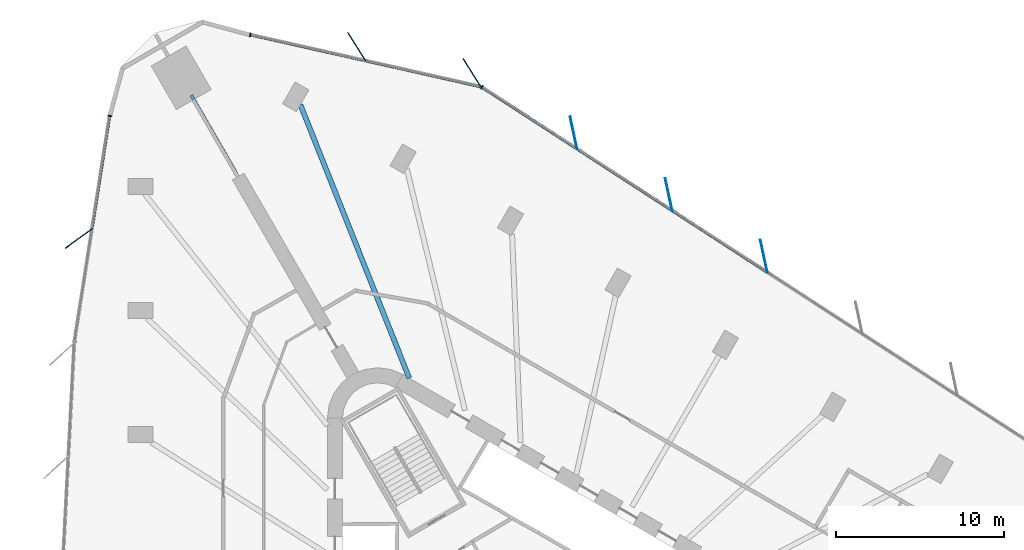
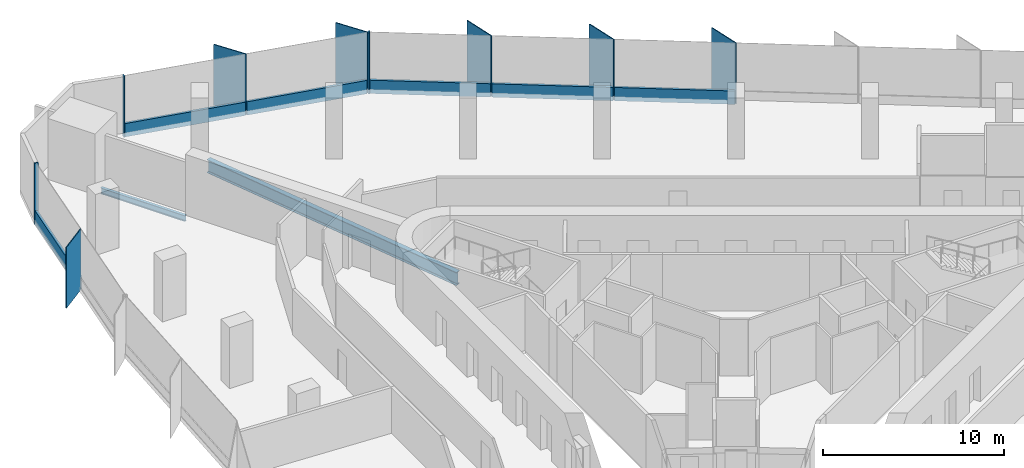
# One storey, part 7 of 14: 15 members, 2 beams, 3 elements without a shape of their own.
"""IFC4 building model written with IfcOpenShell, lengths in metres."""

import ifcopenshell
import ifcopenshell.guid

model = None  # the IFC model being written
_history = None  # IfcOwnerHistory: only IFC2X3 demands one
_inside = {}  # id of a spatial element -> (the spatial element, [elements in it])
_under = {}  # id of a project, library or spatial element -> (it, [spatial elements below it])
_declared = {}  # id of a project -> (the project, [libraries it declares])
_typed = {}  # id of a type object -> (the type object, [elements of that type])
_made_of = {}  # id of a material, layer set ... -> (it, [elements and type objects made of it])


def new_model(schema):
    """Start an empty IFC model of exactly this schema.

    Asked for "IFC4X3", IfcOpenShell would pick the latest addendum, in which some entities
    have other attributes; the version numbers below select the first issue.
    IFC2X3 requires an IfcOwnerHistory on every rooted entity: one is made here for all.
    """
    global model, _history
    if schema == "IFC4X3":
        model = ifcopenshell.file(schema_version=(4, 3, 0, 0))
    else:
        model = ifcopenshell.file(schema=schema)
    _inside.clear()
    _under.clear()
    _declared.clear()
    _typed.clear()
    _made_of.clear()
    _history = None
    if model.schema == "IFC2X3":
        org = make("IfcOrganization", Name="unknown")
        user = make(
            "IfcPersonAndOrganization",
            ThePerson=make("IfcPerson", FamilyName="unknown"),
            TheOrganization=org,
        )
        app = make(
            "IfcApplication",
            ApplicationDeveloper=org,
            Version="unknown",
            ApplicationFullName="unknown",
            ApplicationIdentifier="unknown",
        )
        _history = make(
            "IfcOwnerHistory",
            OwningUser=user,
            OwningApplication=app,
            ChangeAction="ADDED",
            CreationDate=0,
        )
    return model


def make(cls, **values):
    """One entity of the class cls with the attributes given. An attribute that is None is left unset."""
    return model.create_entity(
        cls, **{name: value for name, value in values.items() if value is not None}
    )


def rooted(cls, **values):
    """An entity with a GlobalId (a new one), such as an element, a storey or a relation."""
    return make(cls, GlobalId=ifcopenshell.guid.new(), OwnerHistory=_history, **values)


def si_unit(unit_type, name, prefix=None):
    """IfcSIUnit, for example si_unit("LENGTHUNIT", "METRE", prefix="MILLI")."""
    return make("IfcSIUnit", UnitType=unit_type, Prefix=prefix, Name=name)


def assignment(units):
    """IfcUnitAssignment: the units of a project."""
    return None if units is None else make("IfcUnitAssignment", Units=units)


def point(xyz):
    """IfcCartesianPoint."""
    return None if xyz is None else make("IfcCartesianPoint", Coordinates=xyz)


def direction(xyz):
    """IfcDirection."""
    return None if xyz is None else make("IfcDirection", DirectionRatios=xyz)


def frame(location, z_axis=None, x_axis=None):
    """IfcAxis2Placement3D, a coordinate frame: its origin and axes. An axis left out is left unset."""
    return make(
        "IfcAxis2Placement3D",
        Location=point(location),
        Axis=direction(z_axis),
        RefDirection=direction(x_axis),
    )


def frame_2d(location, x_axis=None):
    """IfcAxis2Placement2D, a coordinate frame in the plane: its origin and x axis."""
    return make(
        "IfcAxis2Placement2D", Location=point(location), RefDirection=direction(x_axis)
    )


def origin():
    """The frame at (0, 0, 0) with its axes left unset."""
    return frame((0.0, 0.0, 0.0))


def origin_2d():
    """The frame at (0, 0) in the plane with its x axis left unset."""
    return frame_2d((0.0, 0.0))


def place(relative_to, where):
    """IfcLocalPlacement: puts the frame where relative to a parent placement (None: the world)."""
    return make(
        "IfcLocalPlacement", PlacementRelTo=relative_to, RelativePlacement=where
    )


def context(
    kind, dimensions, precision=None, world=None, true_north=None, identifier=None
):
    """IfcGeometricRepresentationContext, for example the 3D "Model" context."""
    return make(
        "IfcGeometricRepresentationContext",
        ContextIdentifier=identifier,
        ContextType=kind,
        CoordinateSpaceDimension=dimensions,
        Precision=precision,
        WorldCoordinateSystem=world,
        TrueNorth=true_north,
    )


def subcontext(parent, identifier, kind, view, scale=None):
    """IfcGeometricRepresentationSubContext, for example "Body" below "Model"."""
    return make(
        "IfcGeometricRepresentationSubContext",
        ContextIdentifier=identifier,
        ContextType=kind,
        ParentContext=parent,
        TargetScale=scale,
        TargetView=view,
    )


def project(units=None, contexts=None):
    """IfcProject with its units and contexts."""
    return rooted(
        "IfcProject",
        Name="project",
        RepresentationContexts=contexts,
        UnitsInContext=assignment(units),
    )


def spatial(cls, under=None, at=None, **own):
    """A site, building, storey or space (cls), placed at a placement, below another one or the project."""
    s = rooted(cls, ObjectPlacement=at, **own)
    if under is not None:
        _under.setdefault(under.id(), (under, []))[1].append(s)
    return s


def profile(cls, at=None, kind="AREA", **sizes):
    """A parametric profile (cls). Its sizes go by their IFC names, for example OverallWidth=200.0."""
    return make(cls, ProfileType=kind, Position=at, **sizes)


def rectangle(**sizes):
    """IfcRectangleProfileDef."""
    return profile("IfcRectangleProfileDef", **sizes)


def i_section(**sizes):
    """IfcIShapeProfileDef."""
    return profile("IfcIShapeProfileDef", **sizes)


def extrude(swept, where, along, depth):
    """IfcExtrudedAreaSolid: the profile swept, set in the frame where, extruded along a direction by depth."""
    return make(
        "IfcExtrudedAreaSolid",
        SweptArea=swept,
        Position=where,
        ExtrudedDirection=direction(along),
        Depth=depth,
    )


def shape(context_of_items, identifier, shape_type, items):
    """IfcShapeRepresentation: the items that make up one representation, for example the "Body"."""
    return make(
        "IfcShapeRepresentation",
        ContextOfItems=context_of_items,
        RepresentationIdentifier=identifier,
        RepresentationType=shape_type,
        Items=items,
    )


def material(Name=None, Category=None):
    """IfcMaterial."""
    return make("IfcMaterial", Name=Name, Category=Category)


def material_profile(
    of_material, cross_section, Name=None, Category=None, Priority=None
):
    """IfcMaterialProfile: a cross section and its material."""
    return make(
        "IfcMaterialProfile",
        Name=Name,
        Material=of_material,
        Profile=cross_section,
        Priority=Priority,
        Category=Category,
    )


def profile_set(profiles, Name=None, composite=None):
    """IfcMaterialProfileSet."""
    return make(
        "IfcMaterialProfileSet",
        Name=Name,
        MaterialProfiles=profiles,
        CompositeProfile=composite,
    )


def made_of(thing, what):
    """Note that an element or type object is made of a material, layer set ...; save() writes the relation."""
    if what is not None:
        _made_of.setdefault(what.id(), (what, []))[1].append(thing)
    return thing


def type_object(cls, material=None, **own):
    """A type object (cls), such as IfcWallType, which elements share."""
    return made_of(rooted(cls, **own), material)


def element(
    cls,
    number,
    at=None,
    inside=None,
    cuts=None,
    type_object=None,
    material=None,
    context=None,
    identifier="Body",
    shape_type=None,
    held_by="IfcProductDefinitionShape",
    body=None,
    shapes=None,
    **own,
):
    """One element of the class cls, such as IfcWall. Its Tag is "e" and its number.

    at: its placement. inside: the storey or other place that contains it. cuts: it is an
    opening in that element (IfcRelVoidsElement). A single representation is given by context,
    identifier, shape_type and body (its items); several are given by shapes. held_by: the class
    of the entity that holds the representations. save() writes the other relations.
    """
    e = rooted(cls, Tag="e%d" % number, ObjectPlacement=at, **own)
    if body is not None:
        shapes = [shape(context, identifier, shape_type, body)]
    if shapes is not None:
        e.Representation = make(held_by, Representations=shapes)
    if inside is not None:
        _inside.setdefault(inside.id(), (inside, []))[1].append(e)
    if cuts is not None:
        rooted(
            "IfcRelVoidsElement", RelatingBuildingElement=cuts, RelatedOpeningElement=e
        )
    if type_object is not None:
        _typed.setdefault(type_object.id(), (type_object, []))[1].append(e)
    return made_of(e, material)


def aggregate(whole, parts):
    """IfcRelAggregates: a whole, such as a stair, and the parts it consists of."""
    return rooted("IfcRelAggregates", RelatingObject=whole, RelatedObjects=parts)


def save(model, path):
    """Write the relations noted so far, then the file.

    IfcRelAggregates (storeys below a building ...), IfcRelContainedInSpatialStructure (elements
    in a storey), IfcRelDefinesByType, IfcRelAssociatesMaterial and IfcRelDeclares: one each for
    every whole, place, type object, material and project.
    """
    for whole, parts in _under.values():
        aggregate(whole, parts)
    for where, things in _inside.values():
        rooted(
            "IfcRelContainedInSpatialStructure",
            RelatedElements=things,
            RelatingStructure=where,
        )
    for kind, things in _typed.values():
        rooted("IfcRelDefinesByType", RelatedObjects=things, RelatingType=kind)
    for what, things in _made_of.values():
        rooted("IfcRelAssociatesMaterial", RelatedObjects=things, RelatingMaterial=what)
    for by, libraries in _declared.values():
        rooted("IfcRelDeclares", RelatingContext=by, RelatedDefinitions=libraries)
    model.write(path)


model = new_model("IFC4")

# Units and contexts
model_context = context("Model", 3, precision=1e-05, world=origin(), true_north=direction((0.0, 1.0)))
body_context = subcontext(model_context, "Body", "Model", "MODEL_VIEW")
ifc_project = project(units=[si_unit("LENGTHUNIT", "METRE"), si_unit("AREAUNIT", "SQUARE_METRE"), si_unit("VOLUMEUNIT", "CUBIC_METRE"), si_unit("PLANEANGLEUNIT", "RADIAN"), si_unit("MASSUNIT", "GRAM", prefix="KILO")], contexts=[model_context])

# Site, building, storey
site_placement = place(None, origin())
site = spatial("IfcSite", under=ifc_project, at=site_placement, CompositionType="ELEMENT")
building_placement = place(site_placement, origin())
building = spatial("IfcBuilding", under=site, at=building_placement, Name="Tanit Gate Tower", CompositionType="ELEMENT")
storey_placement = place(building_placement, frame((0.0, 0.0, 70.10009765625)))
storey = spatial("IfcBuildingStorey", under=building, at=storey_placement, Name="L13", CompositionType="ELEMENT", Elevation=70.10009765625)

# Curtain wall, members
ifc_material_1 = material(Name="Aluminium bronze anodised and glass", Category="aluminium")
curtain_wall_type = type_object("IfcCurtainWallType", Name="Curtain wall typical low", PredefinedType="NOTDEFINED", material=ifc_material_1)
curtain_wall_1_placement = place(storey_placement, origin())
curtain_wall_1 = element("IfcCurtainWall", 1, at=curtain_wall_1_placement, inside=storey, type_object=curtain_wall_type, Name="Curtain wall L13 NE2", PredefinedType="NOTDEFINED")
ifc_material_2 = material(Name="Aluminium bronze anodised", Category="aluminium")
ifc_material_profile_1 = material_profile(ifc_material_2, rectangle(XDim=2.0, YDim=0.055908203125, at=origin_2d()), Name="56x2000 bronze fin mullion")
ifc_profile_set_1 = profile_set([ifc_material_profile_1], Name="Aluminium bronze anodised")
member_type_1 = type_object("IfcMemberType", Name="FIN MULLION 56x2000 bronze", PredefinedType="MULLION", material=ifc_profile_set_1)
member_1_placement = place(storey_placement, frame((13.91162109375, 25.4013671875, -0.300048828125), z_axis=(0.0, 0.0, 1.0), x_axis=(0.208373118697, -0.978049407445, 0.0)))
member_1 = element("IfcMember", 2, at=member_1_placement, type_object=member_type_1, Name="Fin mullion L13 NE2.4", PredefinedType="MULLION", context=body_context, shape_type="SweptSolid", body=[
    extrude(rectangle(XDim=2.0, YDim=0.055908203125, at=origin_2d()), origin(), (0.0, 0.0, 1.0), 4.099853515625),
])
member_2_placement = place(storey_placement, frame((8.2431640625, 29.07861328125, -0.300048828125), z_axis=(0.0, 0.0, 1.0), x_axis=(0.208373118697, -0.978049407445, 0.0)))
member_2 = element("IfcMember", 3, at=member_2_placement, type_object=member_type_1, Name="Fin mullion L13 NE2.5", PredefinedType="MULLION", context=body_context, shape_type="SweptSolid", body=[
    extrude(rectangle(XDim=2.0, YDim=0.055908203125, at=origin_2d()), origin(), (0.0, 0.0, 1.0), 4.099853515625),
])
member_3_placement = place(storey_placement, frame((2.57470703125, 32.755859375, -0.300048828125), z_axis=(0.0, 0.0, 1.0), x_axis=(0.208373118697, -0.978049407445, 0.0)))
member_3 = element("IfcMember", 4, at=member_3_placement, type_object=member_type_1, Name="Fin mullion L13 NE2.6", PredefinedType="MULLION", context=body_context, shape_type="SweptSolid", body=[
    extrude(rectangle(XDim=2.0, YDim=0.055908203125, at=origin_2d()), origin(), (0.0, 0.0, 1.0), 4.099853515625),
])

curtain_wall_2_placement = place(storey_placement, origin())
curtain_wall_2 = element("IfcCurtainWall", 5, at=curtain_wall_2_placement, inside=storey, type_object=curtain_wall_type, Name="Curtain wall L13 NE3", PredefinedType="NOTDEFINED")
member_4_placement = place(storey_placement, frame((-3.48486328125, 36.333740234375, -0.300048828125), z_axis=(0.0, 0.0, 1.0), x_axis=(0.534475003712, -0.845184281921, 0.0)))
member_4 = element("IfcMember", 6, at=member_4_placement, type_object=member_type_1, Name="Fin mullion L13 NE3.1", PredefinedType="MULLION", context=body_context, shape_type="SweptSolid", body=[
    extrude(rectangle(XDim=2.0, YDim=0.055908203125, at=origin_2d()), origin(), (0.0, 0.0, 1.0), 4.099853515625),
])
member_5_placement = place(storey_placement, frame((-10.349853515625, 37.8798828125, -0.300048828125), z_axis=(0.0, 0.0, 1.0), x_axis=(0.534475003712, -0.845184281921, 0.0)))
member_5 = element("IfcMember", 7, at=member_5_placement, type_object=member_type_1, Name="Fin mullion L13 NE3.2", PredefinedType="MULLION", context=body_context, shape_type="SweptSolid", body=[
    extrude(rectangle(XDim=2.0, YDim=0.055908203125, at=origin_2d()), origin(), (0.0, 0.0, 1.0), 4.099853515625),
])

# Curtain wall, member
curtain_wall_3_placement = place(storey_placement, origin())
curtain_wall_3 = element("IfcCurtainWall", 8, at=curtain_wall_3_placement, inside=storey, type_object=curtain_wall_type, Name="Curtain wall L13 W1", PredefinedType="NOTDEFINED")
member_6_placement = place(storey_placement, frame((-26.91064453125, 26.467041015625, -0.300048828125), z_axis=(0.0, 0.0, 1.0), x_axis=(0.807543608226, 0.589807867711, 0.0)))
member_6 = element("IfcMember", 9, at=member_6_placement, type_object=member_type_1, Name="Fin mullion L13 W1.2", PredefinedType="MULLION", context=body_context, shape_type="SweptSolid", body=[
    extrude(rectangle(XDim=2.0, YDim=0.055908203125, at=origin_2d()), origin(), (0.0, 0.0, 1.0), 4.099853515625),
])

# Member
ifc_material_3 = material(Name="Aluminium bronze anodised", Category="aluminium")
ifc_material_profile_2 = material_profile(ifc_material_3, rectangle(XDim=0.239990234375, YDim=0.080078125, at=origin_2d()), Name="80x240 bronze mullion")
ifc_profile_set_2 = profile_set([ifc_material_profile_2], Name="Aluminium bronze anodised")
member_type_2 = type_object("IfcMemberType", Name="Mullion 80x240 typical low", PredefinedType="MULLION", material=ifc_profile_set_2)
member_7_placement = place(storey_placement, frame((-2.889892578125, 35.477294921875, -0.300048828125), z_axis=(0.0, 0.0, 1.0), x_axis=(-0.544243323092, -0.838927413588, 0.0)))
member_7 = element("IfcMember", 10, at=member_7_placement, type_object=member_type_2, Name="Mullion L13 NE2.7", PredefinedType="MULLION", context=body_context, shape_type="SweptSolid", body=[
    extrude(rectangle(XDim=0.239990234375, YDim=0.080078125, at=origin_2d()), origin(), (0.0, 0.0, 1.0), 4.099853515625),
])

member_8_placement = place(storey_placement, frame((-16.6923828125, 38.599853515625, -0.300048828125), z_axis=(0.0, 0.0, 1.0), x_axis=(-0.219704637599, -0.975566436598, 0.0)))
member_8 = element("IfcMember", 11, at=member_8_placement, type_object=member_type_2, Name="Mullion L13 NE3.3", PredefinedType="MULLION", context=body_context, shape_type="SweptSolid", body=[
    extrude(rectangle(XDim=0.239990234375, YDim=0.080078125, at=origin_2d()), origin(), (0.0, 0.0, 1.0), 4.099853515625),
])

member_9_placement = place(storey_placement, frame((-25.07421875, 33.76318359375, -0.300048828125), z_axis=(0.0, 0.0, 1.0), x_axis=(0.988076704336, -0.153962418624, 0.0)))
member_9 = element("IfcMember", 12, at=member_9_placement, type_object=member_type_2, Name="Mullion L13 W1.1", PredefinedType="MULLION", context=body_context, shape_type="SweptSolid", body=[
    extrude(rectangle(XDim=0.239990234375, YDim=0.080078125, at=origin_2d()), origin(), (0.0, 0.0, 1.0), 4.099853515625),
])

# Beams
ifc_material_4 = material(Name="Steel S355", Category="steel")
ifc_material_profile_3 = material_profile(ifc_material_4, i_section(OverallWidth=0.300048828125, OverallDepth=0.889892578125, WebThickness=0.01611328125, FlangeThickness=0.030029296875, FilletRadius=0.030029296875, at=origin_2d()), Name="HEA 900")
ifc_profile_set_3 = profile_set([ifc_material_profile_3], Name="Steel S355")
beam_type_1 = type_object("IfcBeamType", Name="RADIAL GIRDER HEA 900 S355", PredefinedType="BEAM", material=ifc_profile_set_3)
beam_1_placement = place(storey_placement, frame((-13.708740234375, 34.4375, -0.7451171875), z_axis=(0.369856388191, -0.929088936601, 0.0), x_axis=(0.929088936601, 0.369856388191, 0.0)))
element("IfcBeam", 13, at=beam_1_placement, inside=storey, type_object=beam_type_1, Name="RADIAL GIRDER", PredefinedType="BEAM", context=body_context, shape_type="SweptSolid", body=[
    extrude(i_section(OverallWidth=0.300048828125, OverallDepth=0.889892578125, WebThickness=0.01611328125, FlangeThickness=0.030029296875, FilletRadius=0.030029296875, at=origin_2d()), origin(), (0.0, 0.0, 1.0), 17.536865234375),
])
ifc_material_5 = material(Name="Steel S355", Category="steel")
ifc_material_profile_4 = material_profile(ifc_material_5, i_section(OverallWidth=0.179931640625, OverallDepth=0.39990234375, WebThickness=0.008544921875, FlangeThickness=0.013427734375, FilletRadius=0.02099609375, at=origin_2d()), Name="IPE 400")
ifc_profile_set_4 = profile_set([ifc_material_profile_4], Name="Steel S355")
beam_type_2 = type_object("IfcBeamType", Name="RADIAL GIRDER IPE 400 S355", PredefinedType="BEAM", material=ifc_profile_set_4)
beam_2_placement = place(storey_placement, frame((-20.206787109375, 34.999267578125, -0.5), z_axis=(0.499994808408, -0.866028401131, 0.0), x_axis=(0.866028401131, 0.499994808408, 0.0)))
element("IfcBeam", 14, at=beam_2_placement, inside=storey, type_object=beam_type_2, Name="RADIAL GIRDER", PredefinedType="BEAM", context=body_context, shape_type="SweptSolid", body=[
    extrude(i_section(OverallWidth=0.179931640625, OverallDepth=0.39990234375, WebThickness=0.008544921875, FlangeThickness=0.013427734375, FilletRadius=0.02099609375, at=origin_2d()), origin(), (0.0, 0.0, 1.0), 5.3798828125),
])

# Member
ifc_material_6 = material(Name="Aluminium bronze anodised", Category="aluminium")
ifc_material_profile_5 = material_profile(ifc_material_6, rectangle(XDim=0.159912109375, YDim=0.89990234375, at=origin_2d()), Name="160x900 bronze transom")
ifc_profile_set_5 = profile_set([ifc_material_profile_5], Name="Aluminium bronze anodised")
member_type_3 = type_object("IfcMemberType", Name="Transom 160x900 typical low", PredefinedType="USERDEFINED", material=ifc_profile_set_5)
member_10_placement = place(storey_placement, frame((14.08154296875, 24.46728515625, 0.14990234375), z_axis=(-0.838932859074, 0.544234929021, 0.0), x_axis=(-0.544234929021, -0.838932859074, 0.0)))
member_10 = element("IfcMember", 15, at=member_10_placement, type_object=member_type_3, Name="Transom L13 NE2.4", ObjectType="TRANSOM", PredefinedType="USERDEFINED", context=body_context, shape_type="SweptSolid", body=[
    extrude(rectangle(XDim=0.159912109375, YDim=0.89990234375, at=origin_2d()), origin(), (0.0, 0.0, 1.0), 6.676513671875),
])

member_11_placement = place(storey_placement, frame((8.413330078125, 28.14453125, 0.14990234375), z_axis=(-0.83894368958, 0.544218233536, 0.0), x_axis=(-0.544218233536, -0.83894368958, 0.0)))
member_11 = element("IfcMember", 16, at=member_11_placement, type_object=member_type_3, Name="Transom L13 NE2.5", ObjectType="TRANSOM", PredefinedType="USERDEFINED", context=body_context, shape_type="SweptSolid", body=[
    extrude(rectangle(XDim=0.159912109375, YDim=0.89990234375, at=origin_2d()), origin(), (0.0, 0.0, 1.0), 6.676513671875),
])

member_12_placement = place(storey_placement, frame((2.744873046875, 31.82177734375, 0.14990234375), z_axis=(-0.838926994438, 0.544243969194, 0.0), x_axis=(-0.544243969194, -0.838926994438, 0.0)))
member_12 = element("IfcMember", 17, at=member_12_placement, type_object=member_type_3, Name="Transom L13 NE2.6", ObjectType="TRANSOM", PredefinedType="USERDEFINED", context=body_context, shape_type="SweptSolid", body=[
    extrude(rectangle(XDim=0.159912109375, YDim=0.89990234375, at=origin_2d()), origin(), (0.0, 0.0, 1.0), 6.6767578125),
])

aggregate(curtain_wall_1, [member_1, member_2, member_3, member_7, member_10, member_11, member_12])

member_13_placement = place(storey_placement, frame((-3.00146484375, 35.5166015625, 0.14990234375), z_axis=(-0.975562949625, 0.219720120422, 0.0), x_axis=(-0.219720120422, -0.975562949625, 0.0)))
member_13 = element("IfcMember", 18, at=member_13_placement, type_object=member_type_3, Name="Transom L13 NE3.1", ObjectType="TRANSOM", PredefinedType="USERDEFINED", context=body_context, shape_type="SweptSolid", body=[
    extrude(rectangle(XDim=0.159912109375, YDim=0.89990234375, at=origin_2d()), origin(), (0.0, 0.0, 1.0), 6.956787109375),
])

member_14_placement = place(storey_placement, frame((-9.866455078125, 37.062744140625, 0.14990234375), z_axis=(-0.975570471422, 0.219686720785, 0.0), x_axis=(-0.219686720785, -0.975570471422, 0.0)))
member_14 = element("IfcMember", 19, at=member_14_placement, type_object=member_type_3, Name="Transom L13 NE3.2", ObjectType="TRANSOM", PredefinedType="USERDEFINED", context=body_context, shape_type="SweptSolid", body=[
    extrude(rectangle(XDim=0.159912109375, YDim=0.89990234375, at=origin_2d()), origin(), (0.0, 0.0, 1.0), 6.956787109375),
])

aggregate(curtain_wall_2, [member_4, member_5, member_8, member_13, member_14])

member_15_placement = place(storey_placement, frame((-25.080322265625, 33.7236328125, 0.14990234375), z_axis=(-0.153986803013, -0.988072904445, 0.0), x_axis=(0.988072904445, -0.153986803013, 0.0)))
member_15 = element("IfcMember", 20, at=member_15_placement, type_object=member_type_3, Name="Transom L13 W1.1", ObjectType="TRANSOM", PredefinedType="USERDEFINED", context=body_context, shape_type="SweptSolid", body=[
    extrude(rectangle(XDim=0.159912109375, YDim=0.89990234375, at=origin_2d()), origin(), (0.0, 0.0, 1.0), 6.720703125),
])

aggregate(curtain_wall_3, [member_9, member_6, member_15])

save(model, "model.ifc")
